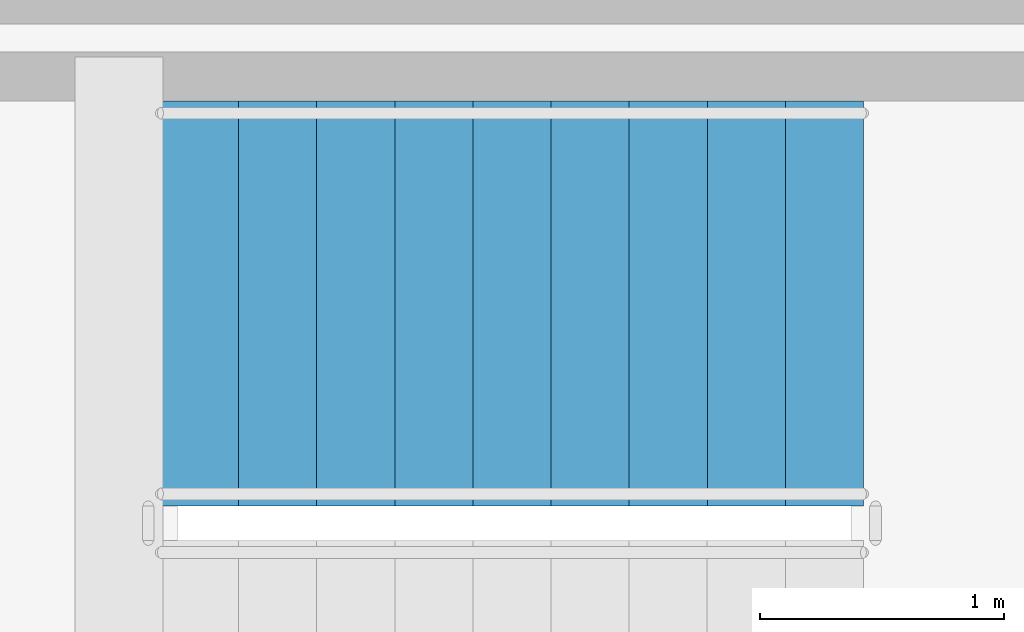
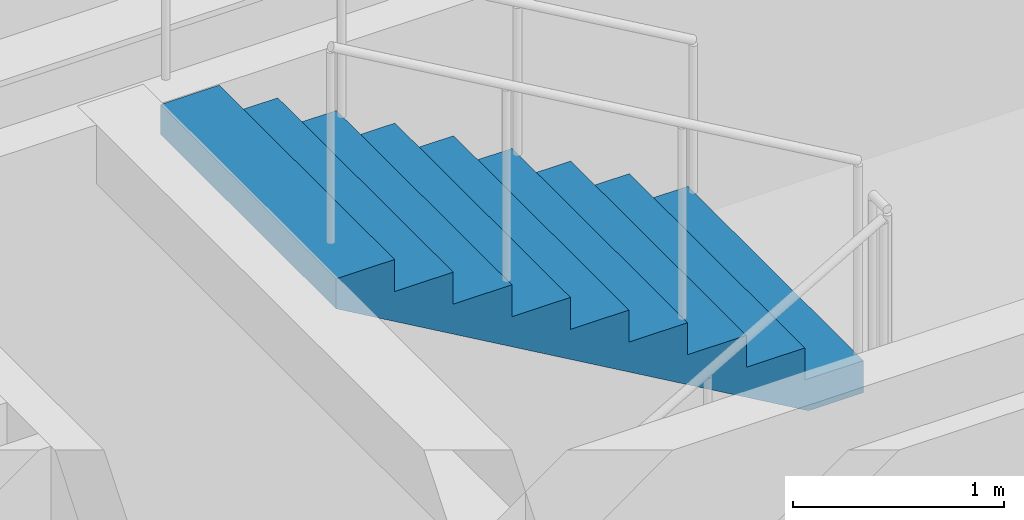
# One storey, part 20 of 22: 1 stair flight, 1 element without a shape of its own.
"""IFC4 building model written with IfcOpenShell, lengths in metres."""

from ifc_helpers import new_model, si_unit, direction, frame, origin, place, context, subcontext, project, spatial, polyline, outline, extrude, material, type_object, element, aggregate, save


model = new_model("IFC4")

# Units and contexts
model_context = context("Model", 3, precision=1e-05, world=origin(), true_north=direction((0.0, 1.0)))
body_context = subcontext(model_context, "Body", "Model", "MODEL_VIEW")
ifc_project = project(units=[si_unit("LENGTHUNIT", "METRE"), si_unit("AREAUNIT", "SQUARE_METRE"), si_unit("VOLUMEUNIT", "CUBIC_METRE"), si_unit("PLANEANGLEUNIT", "RADIAN"), si_unit("MASSUNIT", "GRAM", prefix="KILO")], contexts=[model_context])

# Site, building, storey
site_placement = place(None, origin())
site = spatial("IfcSite", under=ifc_project, at=site_placement, CompositionType="ELEMENT")
building_placement = place(site_placement, origin())
building = spatial("IfcBuilding", under=site, at=building_placement, Name="Kallvorn Hotel Tower", CompositionType="ELEMENT")
storey_placement = place(building_placement, frame((0.0, 0.0, 48.5)))
storey = spatial("IfcBuildingStorey", under=building, at=storey_placement, Name="L10", CompositionType="ELEMENT", Elevation=48.5)

# Stair, stair flight
ifc_material_1 = material(Name="Precast concrete C40/50", Category="concrete")
stair_type = type_object("IfcStairType", Name="STR_CORE_DOGLEG", PredefinedType="HALF_TURN_STAIR", material=ifc_material_1)
stair_placement = place(storey_placement, origin())
stair = element("IfcStair", 1, at=stair_placement, inside=storey, type_object=stair_type, Name="L10 Exit stair ST3", PredefinedType="HALF_TURN_STAIR")
ifc_material_2 = material(Name="Precast concrete C40/50", Category="concrete")
stair_flight_type = type_object("IfcStairFlightType", Name="FLT_CORE_1660", PredefinedType="STRAIGHT", material=ifc_material_2)
stair_flight_placement = place(storey_placement, frame((0.090087890625, 5.679931640625, 1.85009765625), z_axis=(0.0, 0.0, 1.0), x_axis=(-1.0, 0.0, 0.0)))
stair_flight = element("IfcStairFlight", 2, at=stair_flight_placement, type_object=stair_flight_type, Name="ST3 flight 2", NumberOfRisers=10, NumberOfTreads=9, PredefinedType="STRAIGHT", RiserHeight=0.185, TreadLength=0.32, context=body_context, shape_type="SweptSolid", body=[
    extrude(outline(polyline([(0.0, 0.0), (0.0, 0.18505859375), (0.320068359375, 0.18505859375), (0.320068359375, 0.3701171875), (0.639892578125, 0.3701171875), (0.639892578125, 0.554931640625), (0.9599609375, 0.554931640625), (0.9599609375, 0.739990234375), (1.280029296875, 0.739990234375), (1.280029296875, 0.925048828125), (1.60009765625, 0.925048828125), (1.60009765625, 1.110107421875), (1.919921875, 1.110107421875), (1.919921875, 1.294921875), (2.239990234375, 1.294921875), (2.239990234375, 1.47998046875), (2.56005859375, 1.47998046875), (2.56005859375, 1.6650390625), (2.8798828125, 1.6650390625), (2.8798828125, 1.85009765625), (2.8798828125, 1.491943359375), (0.299560546875, 0.0), (0.0, 0.0)])), frame((0.0, 0.830078125, 0.0), z_axis=(0.0, -1.0, 0.0), x_axis=(1.0, 0.0, 0.0)), (0.0, 0.0, 1.0), 1.659912109375),
])
aggregate(stair, [stair_flight])

save(model, "model.ifc")
